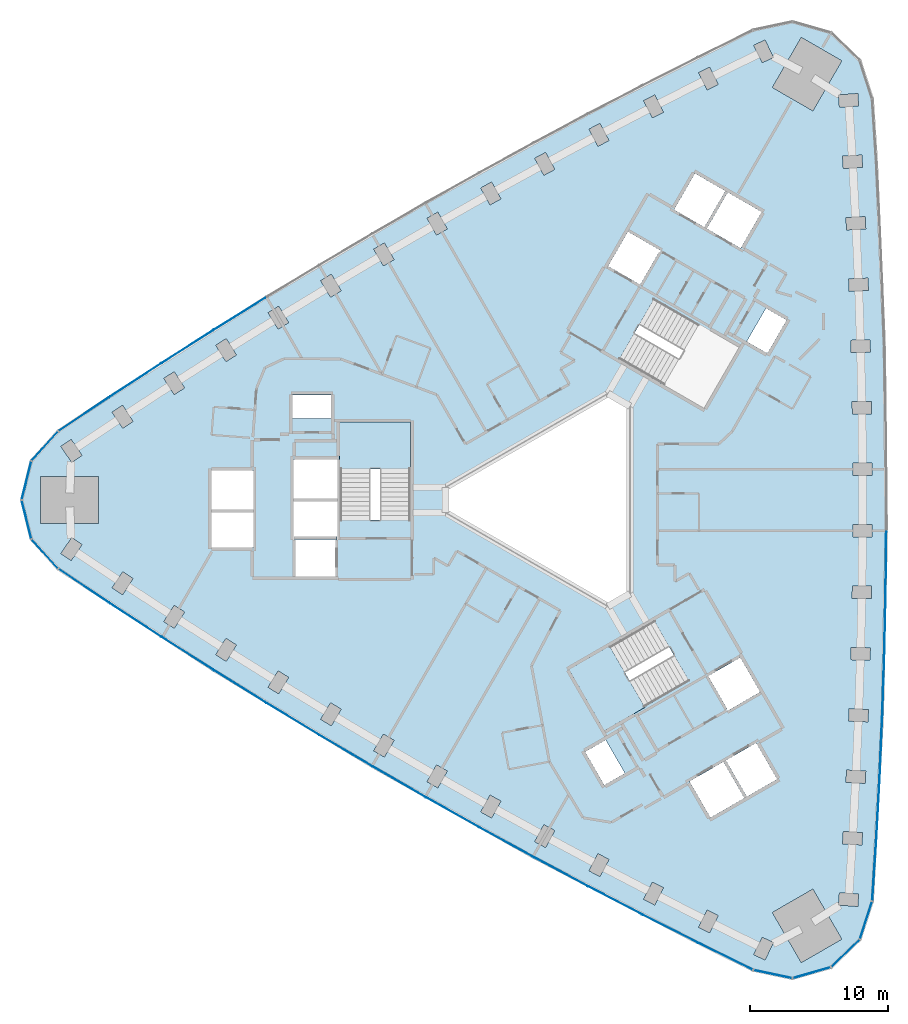
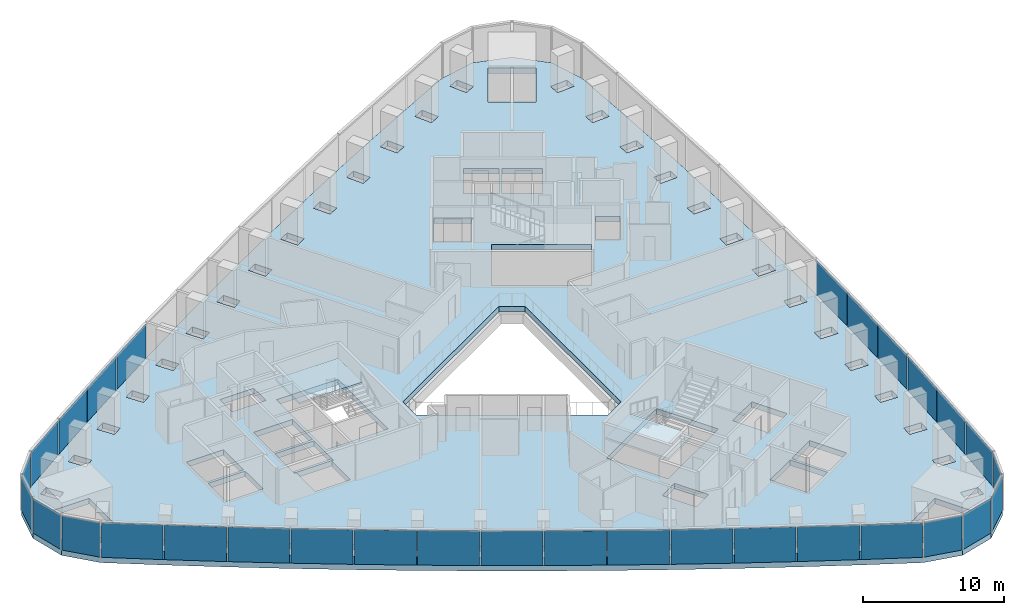
# One storey, part 6 of 13: 31 plates, 3 slabs, 5 elements without a shape of their own.
"""IFC4 building model written with IfcOpenShell, lengths in metres."""

from ifc_helpers import new_model, si_unit, direction, frame, origin, origin_2d, place, context, subcontext, project, spatial, polyline, rectangle, outline, extrude, material, layer, layer_set, type_object, element, aggregate, save


model = new_model("IFC4")

# Units and contexts
model_context = context("Model", 3, precision=1e-05, world=origin(), true_north=direction((0.0, 1.0)))
body_context = subcontext(model_context, "Body", "Model", "MODEL_VIEW")
ifc_project = project(units=[si_unit("LENGTHUNIT", "METRE"), si_unit("AREAUNIT", "SQUARE_METRE"), si_unit("VOLUMEUNIT", "CUBIC_METRE"), si_unit("PLANEANGLEUNIT", "RADIAN"), si_unit("MASSUNIT", "GRAM", prefix="KILO")], contexts=[model_context])

# Site, building, storey
site_placement = place(None, origin())
site = spatial("IfcSite", under=ifc_project, at=site_placement, CompositionType="ELEMENT")
building_placement = place(site_placement, origin())
building = spatial("IfcBuilding", under=site, at=building_placement, Name="Tamra Quay Hotel Tower", CompositionType="ELEMENT")
storey_placement = place(building_placement, frame((0.0, 0.0, 38.60009765625)))
storey = spatial("IfcBuildingStorey", under=building, at=storey_placement, Name="L07", CompositionType="ELEMENT", Elevation=38.60009765625)

# Stair, slab
ifc_material_1 = material(Name="Exit stair 2200 24 risers 150.0 going 342")
stair_type = type_object("IfcStairType", Name="Exit stair 2200 24 risers 150.0 going 342", PredefinedType="HALF_TURN_STAIR", material=ifc_material_1)
stair_1_placement = place(storey_placement, origin())
stair_1 = element("IfcStair", 1, at=stair_1_placement, inside=storey, type_object=stair_type, Name="L07 Exit stair ST3", PredefinedType="HALF_TURN_STAIR")
ifc_material_2 = material(Name="Concrete M70", Category="concrete")
ifc_layer_1 = layer(ifc_material_2, 0.175048828125)
ifc_layer_set_1 = layer_set([ifc_layer_1], Name="Concrete M70 stair landing 180")
slab_type_1 = type_object("IfcSlabType", Name="Concrete M70 stair landing 180", PredefinedType="LANDING", material=ifc_layer_set_1)
slab_1_placement = place(storey_placement, frame((0.0, 0.0, 1.625)))
slab_1 = element("IfcSlab", 2, at=slab_1_placement, type_object=slab_type_1, Name="ST3 landing 1", PredefinedType="LANDING", context=body_context, shape_type="SweptSolid", body=[
    extrude(outline(polyline([(-10.932373046875, 2.261962890625), (-10.932373046875, 5.679931640625), (-16.09130859375, 5.679931640625), (-16.09130859375, 2.261962890625), (-10.932373046875, 2.261962890625)])), origin(), (0.0, 0.0, 1.0), 0.1748046875),
])
aggregate(stair_1, [slab_1])

stair_2_placement = place(storey_placement, origin())
stair_2 = element("IfcStair", 3, at=stair_2_placement, inside=storey, type_object=stair_type, Name="L07 Exit stair ST2", PredefinedType="HALF_TURN_STAIR")
slab_2_placement = place(storey_placement, frame((0.0, 0.0, 1.625)))
slab_2 = element("IfcSlab", 4, at=slab_2_placement, type_object=slab_type_1, Name="ST2 landing 1", PredefinedType="LANDING", context=body_context, shape_type="SweptSolid", body=[
    extrude(outline(polyline([(3.50732421875, -10.5986328125), (0.547119140625, -12.3076171875), (3.126708984375, -16.775390625), (6.086669921875, -15.06640625), (3.50732421875, -10.5986328125)])), origin(), (0.0, 0.0, 1.0), 0.1748046875),
])
aggregate(stair_2, [slab_2])

# Slab
ifc_material_3 = material(Name="Concrete M60", Category="concrete")
ifc_layer_2 = layer(ifc_material_3, 0.47509765625)
ifc_layer_set_2 = layer_set([ifc_layer_2], Name="FLOOR SLAB PT 475")
slab_type_2 = type_object("IfcSlabType", Name="FLOOR SLAB PT 475", PredefinedType="FLOOR", material=ifc_layer_set_2)
slab_3_placement = place(storey_placement, frame((0.0, 0.0, -0.47509765625)))
element("IfcSlab", 5, at=slab_3_placement, inside=storey, type_object=slab_type_2, Name="SLAB-L07", PredefinedType="FLOOR", context=body_context, shape_type="SweptSolid", body=[
    extrude(outline(polyline([(22.8896484375, 24.67529296875), (23.13232421875, 20.1923828125), (23.32666015625, 15.707763671875), (23.472412109375, 11.221435546875), (23.569580078125, 6.73291015625), (23.618408203125, 2.244384765625), (23.618408203125, -2.244384765625), (23.569580078125, -6.73291015625), (23.472412109375, -11.221435546875), (23.32666015625, -15.707763671875), (23.13232421875, -20.1923828125), (22.8896484375, -24.67529296875), (22.598876953125, -29.154296875), (21.697998046875, -31.926025390625), (19.601318359375, -33.95068359375), (16.7998046875, -34.754150390625), (13.948974609375, -34.148193359375), (9.9248046875, -32.16064453125), (5.9208984375, -30.12939453125), (1.93994140625, -28.055419921875), (-2.018310546875, -25.9384765625), (-5.9541015625, -23.7783203125), (-9.865478515625, -21.576171875), (-13.752685546875, -19.331787109375), (-17.61572265625, -17.04541015625), (-21.454345703125, -14.717041015625), (-25.2666015625, -12.34765625), (-29.05322265625, -9.93701171875), (-32.814208984375, -7.4853515625), (-36.547607421875, -4.993896484375), (-38.497802734375, -2.827880859375), (-39.202880859375, 0.0), (-38.497802734375, 2.827880859375), (-36.547607421875, 4.993896484375), (-32.814208984375, 7.4853515625), (-29.05322265625, 9.93701171875), (-25.2666015625, 12.34765625), (-21.454345703125, 14.717041015625), (-17.61572265625, 17.04541015625), (-13.752685546875, 19.331787109375), (-9.865478515625, 21.576171875), (-5.9541015625, 23.7783203125), (-2.018310546875, 25.9384765625), (1.93994140625, 28.055419921875), (5.9208984375, 30.12939453125), (9.9248046875, 32.16064453125), (13.948974609375, 34.148193359375), (16.7998046875, 34.754150390625), (19.601318359375, 33.95068359375), (21.697998046875, 31.926025390625), (22.598876953125, 29.154296875), (22.8896484375, 24.67529296875)]), holes=[polyline([(-17.475830078125, -15.935791015625), (-16.70361328125, -16.39794921875), (-15.984375, -15.19677734375), (-16.756591796875, -14.734619140625), (-17.475830078125, -15.935791015625)]), polyline([(-20.56884765625, -12.416015625), (-21.3017578125, -13.60888671875), (-20.534912109375, -14.080078125), (-19.802001953125, -12.88720703125), (-20.56884765625, -12.416015625)]), polyline([(-24.357177734375, -10.05615234375), (-25.102294921875, -11.2412109375), (-24.340576171875, -11.72021484375), (-23.59521484375, -10.53515625), (-24.357177734375, -10.05615234375)]), polyline([(-28.11962890625, -7.6552734375), (-28.87744140625, -8.83251953125), (-28.12060546875, -9.319580078125), (-27.36279296875, -8.142578125), (-28.11962890625, -7.6552734375)]), polyline([(-31.854736328125, -5.21435546875), (-32.6259765625, -6.3828125), (-31.874755859375, -6.878662109375), (-31.103515625, -5.710205078125), (-31.854736328125, -5.21435546875)]), polyline([(-16.3173828125, -2.85498046875), (-19.4072265625, -2.85498046875), (-19.4072265625, -2.89306640625), (-19.307373046875, -2.89306640625), (-19.307373046875, -5.544921875), (-16.417236328125, -5.544921875), (-16.417236328125, -2.89306640625), (-16.3173828125, -2.89306640625), (-16.3173828125, -2.85498046875)]), polyline([(-35.565185546875, -2.73291015625), (-36.347900390625, -3.8935546875), (-35.601806640625, -4.396728515625), (-34.819091796875, -3.236083984375), (-35.565185546875, -2.73291015625)]), polyline([(-22.3671875, -3.445068359375), (-22.3671875, -0.905029296875), (-25.4072265625, -0.905029296875), (-25.4072265625, -3.445068359375), (-22.3671875, -3.445068359375)]), polyline([(-19.417236328125, -2.89306640625), (-19.417236328125, -2.64501953125), (-16.307373046875, -2.64501953125), (-16.307373046875, -2.89306640625), (-16.26708984375, -2.89306640625), (-16.26708984375, -0.10498046875), (-19.45751953125, -0.10498046875), (-19.45751953125, -2.89306640625), (-19.417236328125, -2.89306640625)]), polyline([(-33.62890625, 1.699951171875), (-37.828857421875, 1.699951171875), (-37.828857421875, -1.699951171875), (-33.62890625, -1.699951171875), (-33.62890625, 1.699951171875)]), polyline([(-25.4072265625, -0.695068359375), (-22.3671875, -0.695068359375), (-22.3671875, 2.14501953125), (-25.4072265625, 2.14501953125), (-25.4072265625, -0.695068359375)]), polyline([(-19.45751953125, 0.10498046875), (-16.26708984375, 0.10498046875), (-16.26708984375, 2.945068359375), (-19.45751953125, 2.945068359375), (-19.45751953125, 0.10498046875)]), polyline([(-16.036376953125, -1.455078125), (-10.9873046875, -1.455078125), (-10.9873046875, 5.625), (-16.036376953125, 5.625), (-16.036376953125, -1.455078125)]), polyline([(-34.819091796875, 3.236083984375), (-35.601806640625, 4.396728515625), (-36.347900390625, 3.8935546875), (-35.565185546875, 2.73291015625), (-34.819091796875, 3.236083984375)]), polyline([(-31.103515625, 5.710205078125), (-31.874755859375, 6.878662109375), (-32.6259765625, 6.3828125), (-31.854736328125, 5.21435546875), (-31.103515625, 5.710205078125)]), polyline([(-16.71728515625, 7.64501953125), (-19.50732421875, 7.64501953125), (-19.50732421875, 5.9150390625), (-16.71728515625, 5.9150390625), (-16.71728515625, 7.64501953125)]), polyline([(-27.36279296875, 8.142578125), (-28.12060546875, 9.319580078125), (-28.87744140625, 8.83251953125), (-28.11962890625, 7.6552734375), (-27.36279296875, 8.142578125)]), polyline([(-23.59521484375, 10.53515625), (-24.340576171875, 11.72021484375), (-25.102294921875, 11.2412109375), (-24.357177734375, 10.05615234375), (-23.59521484375, 10.53515625)]), polyline([(-19.802001953125, 12.88720703125), (-20.534912109375, 14.080078125), (-21.3017578125, 13.60888671875), (-20.56884765625, 12.416015625), (-19.802001953125, 12.88720703125)]), polyline([(-15.984375, 15.19677734375), (-16.70361328125, 16.39794921875), (-17.475830078125, 15.935791015625), (-16.756591796875, 14.734619140625), (-15.984375, 15.19677734375)]), polyline([(-12.141357421875, 17.466064453125), (-12.84765625, 18.6748046875), (-13.624755859375, 18.220703125), (-12.918212890625, 17.011962890625), (-12.141357421875, 17.466064453125)]), polyline([(10.606689453125, -29.79150390625), (9.980224609375, -31.04345703125), (10.78515625, -31.4462890625), (11.41162109375, -30.194091796875), (10.606689453125, -29.79150390625)]), polyline([(6.6298828125, -27.76806640625), (5.9892578125, -29.012939453125), (6.78955078125, -29.4248046875), (7.43017578125, -28.179931640625), (6.6298828125, -27.76806640625)]), polyline([(2.673828125, -25.70166015625), (2.02001953125, -26.939697265625), (2.81591796875, -27.35986328125), (3.4697265625, -26.121826171875), (2.673828125, -25.70166015625)]), polyline([(-1.259521484375, -23.5927734375), (-1.92626953125, -24.82373046875), (-1.134765625, -25.252197265625), (-0.46826171875, -24.021240234375), (-1.259521484375, -23.5927734375)]), polyline([(-5.168701171875, -21.44140625), (-5.849365234375, -22.664794921875), (-5.06298828125, -23.102294921875), (-4.382080078125, -21.87890625), (-5.168701171875, -21.44140625)]), polyline([(13.3056640625, -21.65576171875), (11.78564453125, -19.02294921875), (9.325927734375, -20.443115234375), (10.845947265625, -23.075927734375), (13.3056640625, -21.65576171875)]), polyline([(-9.055419921875, -19.247802734375), (-9.7490234375, -20.4638671875), (-8.96728515625, -20.90966796875), (-8.273681640625, -19.693603515625), (-9.055419921875, -19.247802734375)]), polyline([(1.73779296875, -18.300048828125), (3.1328125, -20.71630859375), (4.631103515625, -19.851318359375), (3.236083984375, -17.43505859375), (1.73779296875, -18.300048828125)]), polyline([(-12.918212890625, -17.011962890625), (-13.624755859375, -18.220703125), (-12.84765625, -18.6748046875), (-12.141357421875, -17.466064453125), (-12.918212890625, -17.011962890625)]), polyline([(10.68115234375, -12.790283203125), (12.05615234375, -15.171875), (11.969482421875, -15.2216796875), (12.03955078125, -15.343017578125), (14.455810546875, -13.947998046875), (13.0107421875, -11.4453125), (10.68115234375, -12.790283203125)]), polyline([(9.2783203125, -13.160400390625), (6.75390625, -8.78759765625), (0.622314453125, -12.32763671875), (3.146728515625, -16.7001953125), (9.2783203125, -13.160400390625)]), polyline([(3.39990234375, 7.736572265625), (-8.39990234375, 0.923828125), (-8.39990234375, -0.923828125), (3.39990234375, -7.736572265625), (5.0, -6.812744140625), (5.0, 6.812744140625), (3.39990234375, 7.736572265625)]), polyline([(6.758056640625, 14.615478515625), (4.2333984375, 10.242919921875), (10.364990234375, 6.702880859375), (12.889404296875, 11.075439453125), (6.758056640625, 14.615478515625)]), polyline([(5.736083984375, 15.645263671875), (7.111083984375, 18.02685546875), (7.19775390625, 17.976806640625), (7.267578125, 18.09814453125), (4.8515625, 19.4931640625), (3.406494140625, 16.990234375), (5.736083984375, 15.645263671875)]), polyline([(-8.273681640625, 19.693603515625), (-8.96728515625, 20.90966796875), (-9.7490234375, 20.4638671875), (-9.055419921875, 19.247802734375), (-8.273681640625, 19.693603515625)]), polyline([(8.2001953125, 21.093017578125), (10.39990234375, 19.822998046875), (11.919921875, 22.455810546875), (9.72021484375, 23.725830078125), (8.2001953125, 21.093017578125)]), polyline([(-4.382080078125, 21.87890625), (-5.06298828125, 23.102294921875), (-5.849365234375, 22.664794921875), (-5.168701171875, 21.44140625), (-4.382080078125, 21.87890625)]), polyline([(-0.46826171875, 24.021240234375), (-1.134765625, 25.252197265625), (-1.92626953125, 24.82373046875), (-1.259521484375, 23.5927734375), (-0.46826171875, 24.021240234375)]), polyline([(3.4697265625, 26.121826171875), (2.81591796875, 27.35986328125), (2.02001953125, 26.939697265625), (2.673828125, 25.70166015625), (3.4697265625, 26.121826171875)]), polyline([(7.43017578125, 28.179931640625), (6.78955078125, 29.4248046875), (5.9892578125, 29.012939453125), (6.6298828125, 27.76806640625), (7.43017578125, 28.179931640625)]), polyline([(11.41162109375, 30.194091796875), (10.78515625, 31.4462890625), (9.980224609375, 31.04345703125), (10.606689453125, 29.79150390625), (11.41162109375, 30.194091796875)]), polyline([(14.60693359375, -31.772216796875), (13.993408203125, -33.030517578125), (14.80224609375, -33.425048828125), (15.416015625, -32.166748046875), (14.60693359375, -31.772216796875)]), polyline([(15.34228515625, -29.973388671875), (17.442138671875, -33.61083984375), (20.38671875, -31.910888671875), (18.28662109375, -28.2734375), (15.34228515625, -29.973388671875)]), polyline([(20.1494140625, -29.43408203125), (21.5458984375, -29.53173828125), (21.608642578125, -28.6337890625), (20.212158203125, -28.5361328125), (20.1494140625, -29.43408203125)]), polyline([(20.443115234375, -24.979736328125), (21.840576171875, -25.0634765625), (21.894287109375, -24.1650390625), (20.496826171875, -24.081298828125), (20.443115234375, -24.979736328125)]), polyline([(20.689453125, -20.524658203125), (22.087890625, -20.59228515625), (22.13134765625, -19.693359375), (20.73291015625, -19.625732421875), (20.689453125, -20.524658203125)]), polyline([(14.1669921875, -17.648193359375), (11.96728515625, -18.91796875), (13.487548828125, -21.55078125), (15.68701171875, -20.281005859375), (14.1669921875, -17.648193359375)]), polyline([(20.887451171875, -16.06591796875), (22.286376953125, -16.11865234375), (22.3203125, -15.219482421875), (20.92138671875, -15.16650390625), (20.887451171875, -16.06591796875)]), polyline([(21.037109375, -11.60498046875), (22.4365234375, -11.643310546875), (22.461181640625, -10.74365234375), (21.0615234375, -10.70556640625), (21.037109375, -11.60498046875)]), polyline([(21.138916015625, -7.144287109375), (22.538818359375, -7.16650390625), (22.552978515625, -6.2666015625), (21.153076171875, -6.244384765625), (21.138916015625, -7.144287109375)]), polyline([(21.19189453125, -2.681640625), (22.591796875, -2.68896484375), (22.5966796875, -1.7890625), (21.19677734375, -1.781494140625), (21.19189453125, -2.681640625)]), polyline([(21.19677734375, 1.781494140625), (22.5966796875, 1.7890625), (22.591796875, 2.68896484375), (21.19189453125, 2.681640625), (21.19677734375, 1.781494140625)]), polyline([(21.153076171875, 6.244384765625), (22.552978515625, 6.2666015625), (22.538818359375, 7.16650390625), (21.138916015625, 7.144287109375), (21.153076171875, 6.244384765625)]), polyline([(21.0615234375, 10.70556640625), (22.461181640625, 10.74365234375), (22.4365234375, 11.643310546875), (21.037109375, 11.60498046875), (21.0615234375, 10.70556640625)]), polyline([(14.9794921875, 10.655029296875), (16.37451171875, 13.0712890625), (14.876220703125, 13.936279296875), (13.481201171875, 11.52001953125), (14.9794921875, 10.655029296875)]), polyline([(20.92138671875, 15.16650390625), (22.3203125, 15.219482421875), (22.286376953125, 16.11865234375), (20.887451171875, 16.06591796875), (20.92138671875, 15.16650390625)]), polyline([(20.73291015625, 19.625732421875), (22.13134765625, 19.693359375), (22.087890625, 20.59228515625), (20.689453125, 20.524658203125), (20.73291015625, 19.625732421875)]), polyline([(12.101806640625, 22.350830078125), (10.58154296875, 19.718017578125), (13.041259765625, 18.298095703125), (14.561279296875, 20.930908203125), (12.101806640625, 22.350830078125)]), polyline([(20.496826171875, 24.081298828125), (21.894287109375, 24.1650390625), (21.840576171875, 25.0634765625), (20.443115234375, 24.979736328125), (20.496826171875, 24.081298828125)]), polyline([(20.212158203125, 28.5361328125), (21.608642578125, 28.6337890625), (21.5458984375, 29.53173828125), (20.1494140625, 29.43408203125), (20.212158203125, 28.5361328125)]), polyline([(18.28662109375, 28.2734375), (20.38671875, 31.910888671875), (17.442138671875, 33.61083984375), (15.34228515625, 29.973388671875), (18.28662109375, 28.2734375)]), polyline([(15.416015625, 32.166748046875), (14.80224609375, 33.425048828125), (13.993408203125, 33.030517578125), (14.60693359375, 31.772216796875), (15.416015625, 32.166748046875)])]), origin(), (0.0, 0.0, 1.0), 0.47509765625),
])

# Curtain wall, plates
ifc_material_4 = material(Name="Aluminium 6063 anodised dark grey", Category="aluminium")
curtain_wall_type_1 = type_object("IfcCurtainWallType", Name="CW1 CURTAIN WALL", PredefinedType="NOTDEFINED", material=ifc_material_4)
curtain_wall_1_placement = place(storey_placement, origin())
curtain_wall_1 = element("IfcCurtainWall", 6, at=curtain_wall_1_placement, inside=storey, type_object=curtain_wall_type_1, Name="CW1 east face L07", PredefinedType="NOTDEFINED")
ifc_material_5 = material(Name="Glass clear laminated low-iron", Category="glass")
ifc_layer_3 = layer(ifc_material_5, 0.035888671875)
ifc_layer_set_3 = layer_set([ifc_layer_3], Name="GLASS PANEL CW1 Z1")
plate_type_1 = type_object("IfcPlateType", Name="GLASS PANEL CW1 Z1", PredefinedType="CURTAIN_PANEL", material=ifc_layer_set_3)
plate_1_placement = place(storey_placement, frame((22.744140625, -26.914794921875, 0.0), z_axis=(0.0, 0.0, 1.0), x_axis=(0.064813190551, 0.997897414733, 0.0)))
plate_1 = element("IfcPlate", 7, at=plate_1_placement, type_object=plate_type_1, Name="CW1 glass L07.E.1", PredefinedType="CURTAIN_PANEL", context=body_context, shape_type="SweptSolid", body=[
    extrude(rectangle(XDim=4.38818359375, YDim=0.035888671875, at=origin_2d()), origin(), (0.0, 0.0, 1.0), 2.985107421875),
])
plate_2_placement = place(storey_placement, frame((23.010986328125, -22.433837890625, 0.0), z_axis=(0.0, 0.0, 1.0), x_axis=(0.054062166947, 0.998537571704, 0.0)))
plate_2 = element("IfcPlate", 8, at=plate_2_placement, type_object=plate_type_1, Name="CW1 glass L07.E.2", PredefinedType="CURTAIN_PANEL", context=body_context, shape_type="SweptSolid", body=[
    extrude(rectangle(XDim=4.3896484375, YDim=0.035888671875, at=origin_2d()), origin(), (0.0, 0.0, 1.0), 2.985107421875),
])
plate_3_placement = place(storey_placement, frame((23.2294921875, -17.949951171875, 0.0), z_axis=(0.0, 0.0, 1.0), x_axis=(0.04328585604, 0.999062728094, 0.0)))
plate_3 = element("IfcPlate", 9, at=plate_3_placement, type_object=plate_type_1, Name="CW1 glass L07.E.3", PredefinedType="CURTAIN_PANEL", context=body_context, shape_type="SweptSolid", body=[
    extrude(rectangle(XDim=4.388671875, YDim=0.035888671875, at=origin_2d()), origin(), (0.0, 0.0, 1.0), 2.985107421875),
])
plate_4_placement = place(storey_placement, frame((23.399658203125, -13.464599609375, 0.0), z_axis=(0.0, 0.0, 1.0), x_axis=(0.032474671117, 0.999472558771, 0.0)))
plate_4 = element("IfcPlate", 10, at=plate_4_placement, type_object=plate_type_1, Name="CW1 glass L07.E.4", PredefinedType="CURTAIN_PANEL", context=body_context, shape_type="SweptSolid", body=[
    extrude(rectangle(XDim=4.388671875, YDim=0.035888671875, at=origin_2d()), origin(), (0.0, 0.0, 1.0), 2.985107421875),
])
plate_5_placement = place(storey_placement, frame((23.52099609375, -8.97705078125, 0.0), z_axis=(0.0, 0.0, 1.0), x_axis=(0.021657653853, 0.999765445507, 0.0)))
plate_5 = element("IfcPlate", 11, at=plate_5_placement, type_object=plate_type_1, Name="CW1 glass L07.E.5", PredefinedType="CURTAIN_PANEL", context=body_context, shape_type="SweptSolid", body=[
    extrude(rectangle(XDim=4.3896484375, YDim=0.035888671875, at=origin_2d()), origin(), (0.0, 0.0, 1.0), 2.985107421875),
])
plate_6_placement = place(storey_placement, frame((23.593994140625, -4.488525390625, 0.0), z_axis=(0.0, 0.0, 1.0), x_axis=(0.010836354168, 0.99994128499, 0.0)))
plate_6 = element("IfcPlate", 12, at=plate_6_placement, type_object=plate_type_1, Name="CW1 glass L07.E.6", PredefinedType="CURTAIN_PANEL", context=body_context, shape_type="SweptSolid", body=[
    extrude(rectangle(XDim=4.388671875, YDim=0.035888671875, at=origin_2d()), origin(), (0.0, 0.0, 1.0), 2.985107421875),
])
aggregate(curtain_wall_1, [plate_1, plate_2, plate_3, plate_4, plate_5, plate_6])

curtain_wall_type_2 = type_object("IfcCurtainWallType", Name="CW2 CURTAIN WALL", PredefinedType="NOTDEFINED", material=ifc_material_4)
curtain_wall_2_placement = place(storey_placement, origin())
curtain_wall_2 = element("IfcCurtainWall", 13, at=curtain_wall_2_placement, inside=storey, type_object=curtain_wall_type_2, Name="CW2 north-west face L07", PredefinedType="NOTDEFINED")
ifc_layer_4 = layer(ifc_material_5, 0.035888671875)
ifc_layer_set_4 = layer_set([ifc_layer_4], Name="GLASS PANEL CW2 Z1")
plate_type_2 = type_object("IfcPlateType", Name="GLASS PANEL CW2 Z1", PredefinedType="CURTAIN_PANEL", material=ifc_layer_set_4)
plate_7_placement = place(storey_placement, frame((-23.360595703125, 13.5322265625, 0.0), z_axis=(0.0, 0.0, 1.0), x_axis=(-0.849331290722, -0.527860169552, 0.0)))
plate_7 = element("IfcPlate", 14, at=plate_7_placement, type_object=plate_type_2, Name="CW2 glass L07.NW.10", PredefinedType="CURTAIN_PANEL", context=body_context, shape_type="SweptSolid", body=[
    extrude(rectangle(XDim=4.388671875, YDim=0.035888671875, at=origin_2d()), origin(), (0.0, 0.0, 1.0), 2.985107421875),
])
plate_8_placement = place(storey_placement, frame((-27.159912109375, 11.142333984375, 0.0), z_axis=(0.0, 0.0, 1.0), x_axis=(-0.843570774484, -0.537018015002, 0.0)))
plate_8 = element("IfcPlate", 15, at=plate_8_placement, type_object=plate_type_2, Name="CW2 glass L07.NW.11", PredefinedType="CURTAIN_PANEL", context=body_context, shape_type="SweptSolid", body=[
    extrude(rectangle(XDim=4.388671875, YDim=0.035888671875, at=origin_2d()), origin(), (0.0, 0.0, 1.0), 2.985107421875),
])
plate_9_placement = place(storey_placement, frame((-30.933837890625, 8.711181640625, 0.0), z_axis=(0.0, 0.0, 1.0), x_axis=(-0.837727820256, -0.546087995811, 0.0)))
plate_9 = element("IfcPlate", 16, at=plate_9_placement, type_object=plate_type_2, Name="CW2 glass L07.NW.12", PredefinedType="CURTAIN_PANEL", context=body_context, shape_type="SweptSolid", body=[
    extrude(rectangle(XDim=4.3896484375, YDim=0.035888671875, at=origin_2d()), origin(), (0.0, 0.0, 1.0), 2.985107421875),
])
plate_10_placement = place(storey_placement, frame((-34.680908203125, 6.23974609375, 0.0), z_axis=(0.0, 0.0, 1.0), x_axis=(-0.831797916254, -0.555078576884, 0.0)))
plate_10 = element("IfcPlate", 17, at=plate_10_placement, type_object=plate_type_2, Name="CW2 glass L07.NW.13", PredefinedType="CURTAIN_PANEL", context=body_context, shape_type="SweptSolid", body=[
    extrude(rectangle(XDim=4.38818359375, YDim=0.035888671875, at=origin_2d()), origin(), (0.0, 0.0, 1.0), 2.985107421875),
])
plate_11_placement = place(storey_placement, frame((-37.522705078125, 3.910888671875, 0.0), z_axis=(0.0, 0.0, 1.0), x_axis=(-0.669112198553, -0.743161399527, 0.0)))
plate_11 = element("IfcPlate", 18, at=plate_11_placement, type_object=plate_type_2, Name="CW2 glass L07.NW.14", PredefinedType="CURTAIN_PANEL", context=body_context, shape_type="SweptSolid", body=[
    extrude(rectangle(XDim=2.814697265625, YDim=0.035888671875, at=origin_2d()), origin(), (0.0, 0.0, 1.0), 2.985107421875),
])
plate_12_placement = place(storey_placement, frame((-38.850341796875, 1.4140625, 0.0), z_axis=(0.0, 0.0, 1.0), x_axis=(-0.241913884219, -0.970297723702, 0.0)))
plate_12 = element("IfcPlate", 19, at=plate_12_placement, type_object=plate_type_2, Name="CW2 glass L07.NW.15", PredefinedType="CURTAIN_PANEL", context=body_context, shape_type="SweptSolid", body=[
    extrude(rectangle(XDim=2.814697265625, YDim=0.035888671875, at=origin_2d()), origin(), (0.0, 0.0, 1.0), 2.985107421875),
])
plate_13_placement = place(storey_placement, frame((-38.850341796875, -1.4140625, 0.0), z_axis=(0.0, 0.0, 1.0), x_axis=(0.24191388422, -0.970297723702, 0.0)))
plate_13 = element("IfcPlate", 20, at=plate_13_placement, type_object=plate_type_2, Name="CW2 glass L07.NW.16", PredefinedType="CURTAIN_PANEL", context=body_context, shape_type="SweptSolid", body=[
    extrude(rectangle(XDim=2.814697265625, YDim=0.035888671875, at=origin_2d()), origin(), (0.0, 0.0, 1.0), 2.985107421875),
])
plate_14_placement = place(storey_placement, frame((-37.522705078125, -3.910888671875, 0.0), z_axis=(0.0, 0.0, 1.0), x_axis=(0.669112198553, -0.743161399527, 0.0)))
plate_14 = element("IfcPlate", 21, at=plate_14_placement, type_object=plate_type_2, Name="CW2 glass L07.NW.17", PredefinedType="CURTAIN_PANEL", context=body_context, shape_type="SweptSolid", body=[
    extrude(rectangle(XDim=2.814697265625, YDim=0.035888671875, at=origin_2d()), origin(), (0.0, 0.0, 1.0), 2.985107421875),
])
aggregate(curtain_wall_2, [plate_7, plate_8, plate_9, plate_10, plate_11, plate_12, plate_13, plate_14])

curtain_wall_type_3 = type_object("IfcCurtainWallType", Name="CW3 CURTAIN WALL", PredefinedType="NOTDEFINED", material=ifc_material_4)
curtain_wall_3_placement = place(storey_placement, origin())
curtain_wall_3 = element("IfcCurtainWall", 22, at=curtain_wall_3_placement, inside=storey, type_object=curtain_wall_type_3, Name="CW3 south-west face L07", PredefinedType="NOTDEFINED")
ifc_layer_5 = layer(ifc_material_5, 0.035888671875)
ifc_layer_set_5 = layer_set([ifc_layer_5], Name="GLASS PANEL CW3 Z1")
plate_type_3 = type_object("IfcPlateType", Name="GLASS PANEL CW3 Z1", PredefinedType="CURTAIN_PANEL", material=ifc_layer_set_5)
plate_15_placement = place(storey_placement, frame((-34.680908203125, -6.23974609375, 0.0), z_axis=(0.0, 0.0, 1.0), x_axis=(0.831797916254, -0.555078576884, 0.0)))
plate_15 = element("IfcPlate", 23, at=plate_15_placement, type_object=plate_type_3, Name="CW3 glass L07.SW.1", PredefinedType="CURTAIN_PANEL", context=body_context, shape_type="SweptSolid", body=[
    extrude(rectangle(XDim=4.38818359375, YDim=0.035888671875, at=origin_2d()), origin(), (0.0, 0.0, 1.0), 2.985107421875),
])
plate_16_placement = place(storey_placement, frame((-30.933837890625, -8.711181640625, 0.0), z_axis=(0.0, 0.0, 1.0), x_axis=(0.837727820256, -0.546087995811, 0.0)))
plate_16 = element("IfcPlate", 24, at=plate_16_placement, type_object=plate_type_3, Name="CW3 glass L07.SW.2", PredefinedType="CURTAIN_PANEL", context=body_context, shape_type="SweptSolid", body=[
    extrude(rectangle(XDim=4.3896484375, YDim=0.035888671875, at=origin_2d()), origin(), (0.0, 0.0, 1.0), 2.985107421875),
])
plate_17_placement = place(storey_placement, frame((-27.159912109375, -11.142333984375, 0.0), z_axis=(0.0, 0.0, 1.0), x_axis=(0.843570774484, -0.537018015002, 0.0)))
plate_17 = element("IfcPlate", 25, at=plate_17_placement, type_object=plate_type_3, Name="CW3 glass L07.SW.3", PredefinedType="CURTAIN_PANEL", context=body_context, shape_type="SweptSolid", body=[
    extrude(rectangle(XDim=4.388671875, YDim=0.035888671875, at=origin_2d()), origin(), (0.0, 0.0, 1.0), 2.985107421875),
])
plate_18_placement = place(storey_placement, frame((-23.360595703125, -13.5322265625, 0.0), z_axis=(0.0, 0.0, 1.0), x_axis=(0.849331290722, -0.527860169552, 0.0)))
plate_18 = element("IfcPlate", 26, at=plate_18_placement, type_object=plate_type_3, Name="CW3 glass L07.SW.4", PredefinedType="CURTAIN_PANEL", context=body_context, shape_type="SweptSolid", body=[
    extrude(rectangle(XDim=4.388671875, YDim=0.035888671875, at=origin_2d()), origin(), (0.0, 0.0, 1.0), 2.985107421875),
])
plate_19_placement = place(storey_placement, frame((-19.534912109375, -15.88134765625, 0.0), z_axis=(0.0, 0.0, 1.0), x_axis=(0.854993446708, -0.518638801177, 0.0)))
plate_19 = element("IfcPlate", 27, at=plate_19_placement, type_object=plate_type_3, Name="CW3 glass L07.SW.5", PredefinedType="CURTAIN_PANEL", context=body_context, shape_type="SweptSolid", body=[
    extrude(rectangle(XDim=4.3896484375, YDim=0.035888671875, at=origin_2d()), origin(), (0.0, 0.0, 1.0), 2.985107421875),
])
plate_20_placement = place(storey_placement, frame((-15.684326171875, -18.188720703125, 0.0), z_axis=(0.0, 0.0, 1.0), x_axis=(0.860556378011, -0.509355200489, 0.0)))
plate_20 = element("IfcPlate", 28, at=plate_20_placement, type_object=plate_type_3, Name="CW3 glass L07.SW.6", PredefinedType="CURTAIN_PANEL", context=body_context, shape_type="SweptSolid", body=[
    extrude(rectangle(XDim=4.388671875, YDim=0.035888671875, at=origin_2d()), origin(), (0.0, 0.0, 1.0), 2.985107421875),
])
plate_21_placement = place(storey_placement, frame((-11.80908203125, -20.4541015625, 0.0), z_axis=(0.0, 0.0, 1.0), x_axis=(0.866025403784, -0.5, 0.0)))
plate_21 = element("IfcPlate", 29, at=plate_21_placement, type_object=plate_type_3, Name="CW3 glass L07.SW.7", PredefinedType="CURTAIN_PANEL", context=body_context, shape_type="SweptSolid", body=[
    extrude(rectangle(XDim=4.388671875, YDim=0.035888671875, at=origin_2d()), origin(), (0.0, 0.0, 1.0), 2.985107421875),
])
plate_22_placement = place(storey_placement, frame((-7.90966796875, -22.67724609375, 0.0), z_axis=(0.0, 0.0, 1.0), x_axis=(0.871392732178, -0.490586084502, 0.0)))
plate_22 = element("IfcPlate", 30, at=plate_22_placement, type_object=plate_type_3, Name="CW3 glass L07.SW.8", PredefinedType="CURTAIN_PANEL", context=body_context, shape_type="SweptSolid", body=[
    extrude(rectangle(XDim=4.388671875, YDim=0.035888671875, at=origin_2d()), origin(), (0.0, 0.0, 1.0), 2.985107421875),
])
plate_23_placement = place(storey_placement, frame((-3.986083984375, -24.8583984375, 0.0), z_axis=(0.0, 0.0, 1.0), x_axis=(0.876651100562, -0.48112664433, 0.0)))
plate_23 = element("IfcPlate", 31, at=plate_23_placement, type_object=plate_type_3, Name="CW3 glass L07.SW.9", PredefinedType="CURTAIN_PANEL", context=body_context, shape_type="SweptSolid", body=[
    extrude(rectangle(XDim=4.3896484375, YDim=0.035888671875, at=origin_2d()), origin(), (0.0, 0.0, 1.0), 2.985107421875),
])
plate_24_placement = place(storey_placement, frame((-0.0390625, -26.996826171875, 0.0), z_axis=(0.0, 0.0, 1.0), x_axis=(0.88180596184, -0.471612389218, 0.0)))
plate_24 = element("IfcPlate", 32, at=plate_24_placement, type_object=plate_type_3, Name="CW3 glass L07.SW.10", PredefinedType="CURTAIN_PANEL", context=body_context, shape_type="SweptSolid", body=[
    extrude(rectangle(XDim=4.388671875, YDim=0.035888671875, at=origin_2d()), origin(), (0.0, 0.0, 1.0), 2.985107421875),
])
plate_25_placement = place(storey_placement, frame((3.930419921875, -29.09228515625, 0.0), z_axis=(0.0, 0.0, 1.0), x_axis=(0.886856630524, -0.462044713092, 0.0)))
plate_25 = element("IfcPlate", 33, at=plate_25_placement, type_object=plate_type_3, Name="CW3 glass L07.SW.11", PredefinedType="CURTAIN_PANEL", context=body_context, shape_type="SweptSolid", body=[
    extrude(rectangle(XDim=4.388671875, YDim=0.035888671875, at=origin_2d()), origin(), (0.0, 0.0, 1.0), 2.985107421875),
])
plate_26_placement = place(storey_placement, frame((7.9228515625, -31.14501953125, 0.0), z_axis=(0.0, 0.0, 1.0), x_axis=(0.891789987202, -0.452449575893, 0.0)))
plate_26 = element("IfcPlate", 34, at=plate_26_placement, type_object=plate_type_3, Name="CW3 glass L07.SW.12", PredefinedType="CURTAIN_PANEL", context=body_context, shape_type="SweptSolid", body=[
    extrude(rectangle(XDim=4.3896484375, YDim=0.035888671875, at=origin_2d()), origin(), (0.0, 0.0, 1.0), 2.985107421875),
])
plate_27_placement = place(storey_placement, frame((11.936767578125, -33.154541015625, 0.0), z_axis=(0.0, 0.0, 1.0), x_axis=(0.896611106805, -0.442818837849, 0.0)))
plate_27 = element("IfcPlate", 35, at=plate_27_placement, type_object=plate_type_3, Name="CW3 glass L07.SW.13", PredefinedType="CURTAIN_PANEL", context=body_context, shape_type="SweptSolid", body=[
    extrude(rectangle(XDim=4.38818359375, YDim=0.035888671875, at=origin_2d()), origin(), (0.0, 0.0, 1.0), 2.985107421875),
])
plate_28_placement = place(storey_placement, frame((15.374267578125, -34.451171875, 0.0), z_axis=(0.0, 0.0, 1.0), x_axis=(0.978152750379, -0.207887462165, 0.0)))
plate_28 = element("IfcPlate", 36, at=plate_28_placement, type_object=plate_type_3, Name="CW3 glass L07.SW.14", PredefinedType="CURTAIN_PANEL", context=body_context, shape_type="SweptSolid", body=[
    extrude(rectangle(XDim=2.814697265625, YDim=0.035888671875, at=origin_2d()), origin(), (0.0, 0.0, 1.0), 2.985107421875),
])
plate_29_placement = place(storey_placement, frame((18.20068359375, -34.352294921875, 0.0), z_axis=(0.0, 0.0, 1.0), x_axis=(0.96125942007, 0.275645292589, 0.0)))
plate_29 = element("IfcPlate", 37, at=plate_29_placement, type_object=plate_type_3, Name="CW3 glass L07.SW.15", PredefinedType="CURTAIN_PANEL", context=body_context, shape_type="SweptSolid", body=[
    extrude(rectangle(XDim=2.814697265625, YDim=0.035888671875, at=origin_2d()), origin(), (0.0, 0.0, 1.0), 2.985107421875),
])
plate_30_placement = place(storey_placement, frame((20.649658203125, -32.9384765625, 0.0), z_axis=(0.0, 0.0, 1.0), x_axis=(0.719345535851, 0.694652431113, 0.0)))
plate_30 = element("IfcPlate", 38, at=plate_30_placement, type_object=plate_type_3, Name="CW3 glass L07.SW.16", PredefinedType="CURTAIN_PANEL", context=body_context, shape_type="SweptSolid", body=[
    extrude(rectangle(XDim=2.814697265625, YDim=0.035888671875, at=origin_2d()), origin(), (0.0, 0.0, 1.0), 2.985107421875),
])
plate_31_placement = place(storey_placement, frame((22.1484375, -30.5400390625, 0.0), z_axis=(0.0, 0.0, 1.0), x_axis=(0.309040551826, 0.951048861693, 0.0)))
plate_31 = element("IfcPlate", 39, at=plate_31_placement, type_object=plate_type_3, Name="CW3 glass L07.SW.17", PredefinedType="CURTAIN_PANEL", context=body_context, shape_type="SweptSolid", body=[
    extrude(rectangle(XDim=2.814697265625, YDim=0.035888671875, at=origin_2d()), origin(), (0.0, 0.0, 1.0), 2.985107421875),
])
aggregate(curtain_wall_3, [plate_15, plate_16, plate_17, plate_18, plate_19, plate_20, plate_21, plate_22, plate_23, plate_24, plate_25, plate_26, plate_27, plate_28, plate_29, plate_30, plate_31])

save(model, "model.ifc")
